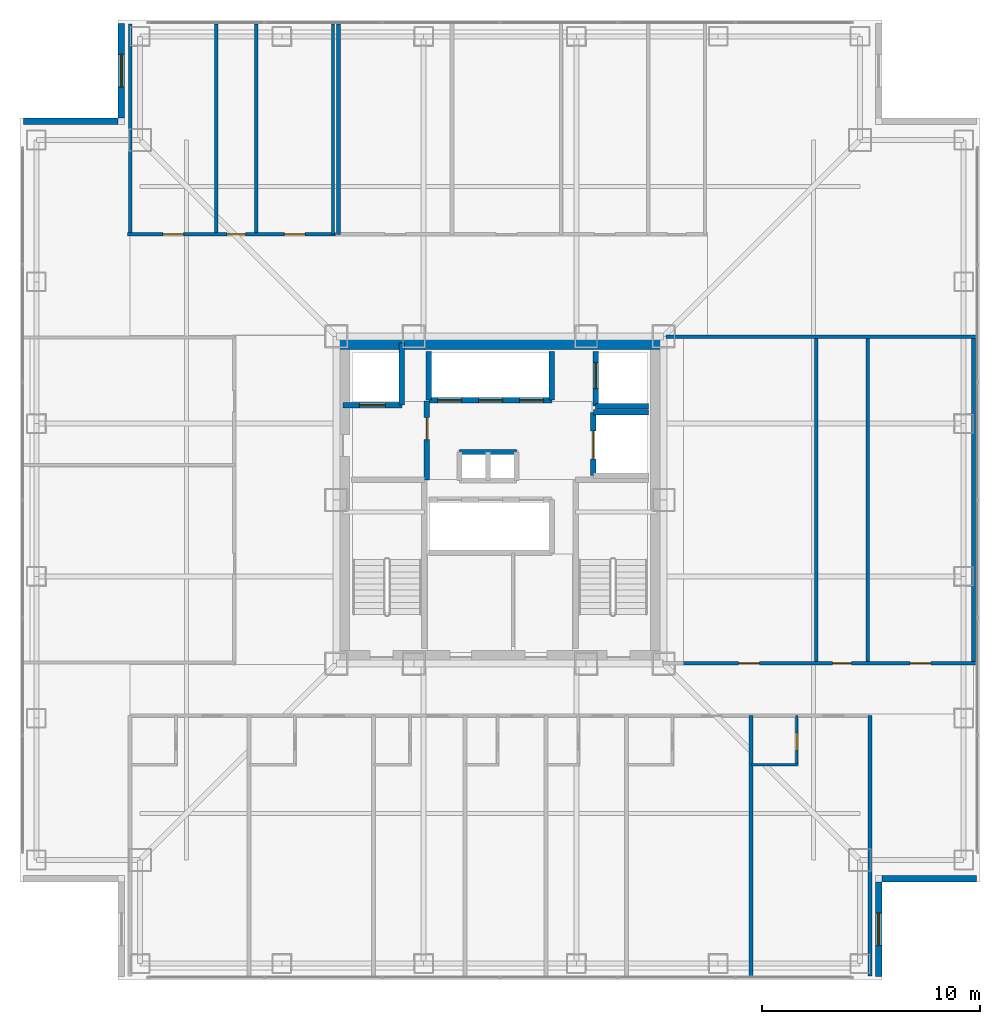
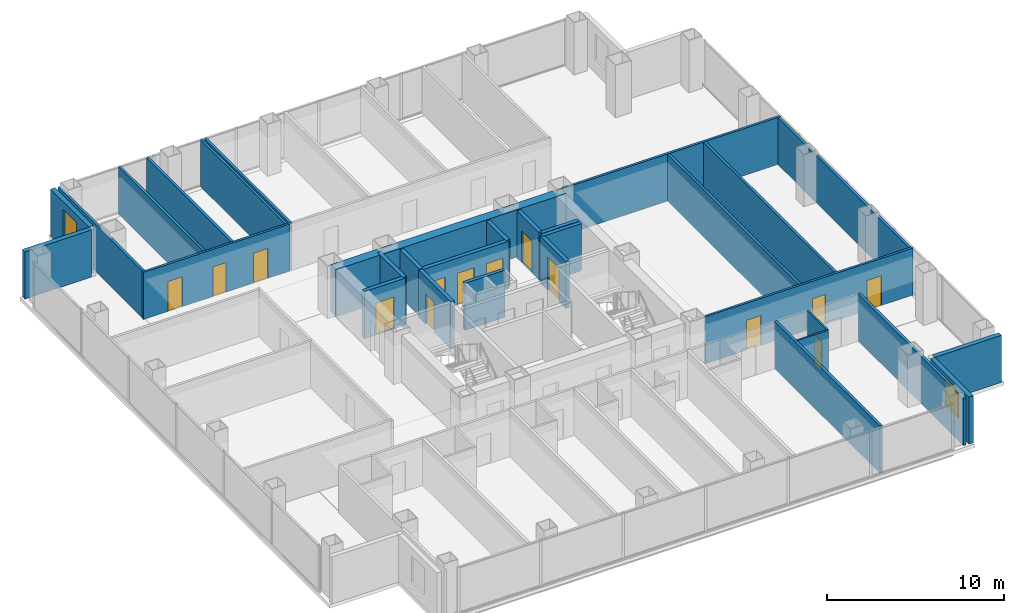
# One storey, part 14 of 18: 31 walls, 14 doors, 2 windows, 16 openings.
"""IFC4 building model written with IfcOpenShell, lengths in metres."""

import ifcopenshell
import ifcopenshell.guid

model = None  # the IFC model being written
_history = None  # IfcOwnerHistory: only IFC2X3 demands one
_inside = {}  # id of a spatial element -> (the spatial element, [elements in it])
_under = {}  # id of a project, library or spatial element -> (it, [spatial elements below it])
_declared = {}  # id of a project -> (the project, [libraries it declares])
_typed = {}  # id of a type object -> (the type object, [elements of that type])
_made_of = {}  # id of a material, layer set ... -> (it, [elements and type objects made of it])


def new_model(schema):
    """Start an empty IFC model of exactly this schema.

    Asked for "IFC4X3", IfcOpenShell would pick the latest addendum, in which some entities
    have other attributes; the version numbers below select the first issue.
    IFC2X3 requires an IfcOwnerHistory on every rooted entity: one is made here for all.
    """
    global model, _history
    if schema == "IFC4X3":
        model = ifcopenshell.file(schema_version=(4, 3, 0, 0))
    else:
        model = ifcopenshell.file(schema=schema)
    _inside.clear()
    _under.clear()
    _declared.clear()
    _typed.clear()
    _made_of.clear()
    _history = None
    if model.schema == "IFC2X3":
        org = make("IfcOrganization", Name="unknown")
        user = make(
            "IfcPersonAndOrganization",
            ThePerson=make("IfcPerson", FamilyName="unknown"),
            TheOrganization=org,
        )
        app = make(
            "IfcApplication",
            ApplicationDeveloper=org,
            Version="unknown",
            ApplicationFullName="unknown",
            ApplicationIdentifier="unknown",
        )
        _history = make(
            "IfcOwnerHistory",
            OwningUser=user,
            OwningApplication=app,
            ChangeAction="ADDED",
            CreationDate=0,
        )
    return model


def make(cls, **values):
    """One entity of the class cls with the attributes given. An attribute that is None is left unset."""
    return model.create_entity(
        cls, **{name: value for name, value in values.items() if value is not None}
    )


def rooted(cls, **values):
    """An entity with a GlobalId (a new one), such as an element, a storey or a relation."""
    return make(cls, GlobalId=ifcopenshell.guid.new(), OwnerHistory=_history, **values)


def si_unit(unit_type, name, prefix=None):
    """IfcSIUnit, for example si_unit("LENGTHUNIT", "METRE", prefix="MILLI")."""
    return make("IfcSIUnit", UnitType=unit_type, Prefix=prefix, Name=name)


def assignment(units):
    """IfcUnitAssignment: the units of a project."""
    return None if units is None else make("IfcUnitAssignment", Units=units)


def point(xyz):
    """IfcCartesianPoint."""
    return None if xyz is None else make("IfcCartesianPoint", Coordinates=xyz)


def direction(xyz):
    """IfcDirection."""
    return None if xyz is None else make("IfcDirection", DirectionRatios=xyz)


def frame(location, z_axis=None, x_axis=None):
    """IfcAxis2Placement3D, a coordinate frame: its origin and axes. An axis left out is left unset."""
    return make(
        "IfcAxis2Placement3D",
        Location=point(location),
        Axis=direction(z_axis),
        RefDirection=direction(x_axis),
    )


def frame_2d(location, x_axis=None):
    """IfcAxis2Placement2D, a coordinate frame in the plane: its origin and x axis."""
    return make(
        "IfcAxis2Placement2D", Location=point(location), RefDirection=direction(x_axis)
    )


def origin():
    """The frame at (0, 0, 0) with its axes left unset."""
    return frame((0.0, 0.0, 0.0))


def place(relative_to, where):
    """IfcLocalPlacement: puts the frame where relative to a parent placement (None: the world)."""
    return make(
        "IfcLocalPlacement", PlacementRelTo=relative_to, RelativePlacement=where
    )


def context(
    kind, dimensions, precision=None, world=None, true_north=None, identifier=None
):
    """IfcGeometricRepresentationContext, for example the 3D "Model" context."""
    return make(
        "IfcGeometricRepresentationContext",
        ContextIdentifier=identifier,
        ContextType=kind,
        CoordinateSpaceDimension=dimensions,
        Precision=precision,
        WorldCoordinateSystem=world,
        TrueNorth=true_north,
    )


def subcontext(parent, identifier, kind, view, scale=None):
    """IfcGeometricRepresentationSubContext, for example "Body" below "Model"."""
    return make(
        "IfcGeometricRepresentationSubContext",
        ContextIdentifier=identifier,
        ContextType=kind,
        ParentContext=parent,
        TargetScale=scale,
        TargetView=view,
    )


def project(units=None, contexts=None):
    """IfcProject with its units and contexts."""
    return rooted(
        "IfcProject",
        Name="project",
        RepresentationContexts=contexts,
        UnitsInContext=assignment(units),
    )


def spatial(cls, under=None, at=None, **own):
    """A site, building, storey or space (cls), placed at a placement, below another one or the project."""
    s = rooted(cls, ObjectPlacement=at, **own)
    if under is not None:
        _under.setdefault(under.id(), (under, []))[1].append(s)
    return s


def profile(cls, at=None, kind="AREA", **sizes):
    """A parametric profile (cls). Its sizes go by their IFC names, for example OverallWidth=200.0."""
    return make(cls, ProfileType=kind, Position=at, **sizes)


def rectangle(**sizes):
    """IfcRectangleProfileDef."""
    return profile("IfcRectangleProfileDef", **sizes)


def extrude(swept, where, along, depth):
    """IfcExtrudedAreaSolid: the profile swept, set in the frame where, extruded along a direction by depth."""
    return make(
        "IfcExtrudedAreaSolid",
        SweptArea=swept,
        Position=where,
        ExtrudedDirection=direction(along),
        Depth=depth,
    )


def shape(context_of_items, identifier, shape_type, items):
    """IfcShapeRepresentation: the items that make up one representation, for example the "Body"."""
    return make(
        "IfcShapeRepresentation",
        ContextOfItems=context_of_items,
        RepresentationIdentifier=identifier,
        RepresentationType=shape_type,
        Items=items,
    )


def material(Name=None, Category=None):
    """IfcMaterial."""
    return make("IfcMaterial", Name=Name, Category=Category)


def layer(
    of_material, thickness, ventilated=None, Name=None, Category=None, Priority=None
):
    """IfcMaterialLayer: one layer of a wall or slab, of a material (None: an air gap)."""
    return make(
        "IfcMaterialLayer",
        Material=of_material,
        LayerThickness=thickness,
        IsVentilated=ventilated,
        Name=Name,
        Category=Category,
        Priority=Priority,
    )


def layer_set(layers, Name=None):
    """IfcMaterialLayerSet."""
    return make("IfcMaterialLayerSet", MaterialLayers=layers, LayerSetName=Name)


def made_of(thing, what):
    """Note that an element or type object is made of a material, layer set ...; save() writes the relation."""
    if what is not None:
        _made_of.setdefault(what.id(), (what, []))[1].append(thing)
    return thing


def type_object(cls, material=None, **own):
    """A type object (cls), such as IfcWallType, which elements share."""
    return made_of(rooted(cls, **own), material)


def element(
    cls,
    number,
    at=None,
    inside=None,
    cuts=None,
    type_object=None,
    material=None,
    context=None,
    identifier="Body",
    shape_type=None,
    held_by="IfcProductDefinitionShape",
    body=None,
    shapes=None,
    **own,
):
    """One element of the class cls, such as IfcWall. Its Tag is "e" and its number.

    at: its placement. inside: the storey or other place that contains it. cuts: it is an
    opening in that element (IfcRelVoidsElement). A single representation is given by context,
    identifier, shape_type and body (its items); several are given by shapes. held_by: the class
    of the entity that holds the representations. save() writes the other relations.
    """
    e = rooted(cls, Tag="e%d" % number, ObjectPlacement=at, **own)
    if body is not None:
        shapes = [shape(context, identifier, shape_type, body)]
    if shapes is not None:
        e.Representation = make(held_by, Representations=shapes)
    if inside is not None:
        _inside.setdefault(inside.id(), (inside, []))[1].append(e)
    if cuts is not None:
        rooted(
            "IfcRelVoidsElement", RelatingBuildingElement=cuts, RelatedOpeningElement=e
        )
    if type_object is not None:
        _typed.setdefault(type_object.id(), (type_object, []))[1].append(e)
    return made_of(e, material)


def fill(opening, filler):
    """IfcRelFillsElement: the door or window that sits in an opening."""
    return rooted(
        "IfcRelFillsElement",
        RelatingOpeningElement=opening,
        RelatedBuildingElement=filler,
    )


def aggregate(whole, parts):
    """IfcRelAggregates: a whole, such as a stair, and the parts it consists of."""
    return rooted("IfcRelAggregates", RelatingObject=whole, RelatedObjects=parts)


def save(model, path):
    """Write the relations noted so far, then the file.

    IfcRelAggregates (storeys below a building ...), IfcRelContainedInSpatialStructure (elements
    in a storey), IfcRelDefinesByType, IfcRelAssociatesMaterial and IfcRelDeclares: one each for
    every whole, place, type object, material and project.
    """
    for whole, parts in _under.values():
        aggregate(whole, parts)
    for where, things in _inside.values():
        rooted(
            "IfcRelContainedInSpatialStructure",
            RelatedElements=things,
            RelatingStructure=where,
        )
    for kind, things in _typed.values():
        rooted("IfcRelDefinesByType", RelatedObjects=things, RelatingType=kind)
    for what, things in _made_of.values():
        rooted("IfcRelAssociatesMaterial", RelatedObjects=things, RelatingMaterial=what)
    for by, libraries in _declared.values():
        rooted("IfcRelDeclares", RelatingContext=by, RelatedDefinitions=libraries)
    model.write(path)


model = new_model("IFC4")

# Units and contexts
model_context = context("Model", 3, precision=1e-05, world=origin(), true_north=direction((0.0, 1.0)))
body_context = subcontext(model_context, "Body", "Model", "MODEL_VIEW")
ifc_project = project(units=[si_unit("LENGTHUNIT", "METRE"), si_unit("AREAUNIT", "SQUARE_METRE"), si_unit("VOLUMEUNIT", "CUBIC_METRE"), si_unit("PLANEANGLEUNIT", "RADIAN"), si_unit("MASSUNIT", "GRAM", prefix="KILO")], contexts=[model_context])

# Site, building, storey
site_placement = place(None, origin())
site = spatial("IfcSite", under=ifc_project, at=site_placement, CompositionType="ELEMENT")
building_placement = place(site_placement, origin())
building = spatial("IfcBuilding", under=site, at=building_placement, Name="Trevonay Congress Spire", CompositionType="ELEMENT")
storey_placement = place(building_placement, frame((0.0, 0.0, 151.60009765625)))
storey = spatial("IfcBuildingStorey", under=building, at=storey_placement, Name="L39", CompositionType="ELEMENT", Elevation=151.60009765625)

# Wall, opening, door
ifc_material_1 = material(Name="Concrete C40/50", Category="concrete")
ifc_layer_1 = layer(ifc_material_1, 0.1201171875, Name="Concrete C40/50")
ifc_layer_set_1 = layer_set([ifc_layer_1], Name="Concrete C40/50")
wall_type_1 = type_object("IfcWallType", Name="WAL-BATH-120", PredefinedType="PLUMBINGWALL", material=ifc_layer_set_1)
wall_1_placement = place(storey_placement, frame((13.60009765625, -12.1298828125, 0.0), z_axis=(0.0, 0.0, 1.0), x_axis=(0.0, 1.0, 0.0)))
wall_1 = element("IfcWall", 1, at=wall_1_placement, inside=storey, type_object=wall_type_1, Name="L39 interior wall WH-L39S-BS7", PredefinedType="PLUMBINGWALL", context=body_context, shape_type="SweptSolid", body=[
    extrude(rectangle(XDim=2.25, YDim=0.1201171875, at=frame_2d((1.125, 0.0))), origin(), (0.0, 0.0, 1.0), 3.25),
])
opening_1_placement = place(wall_1_placement, frame((0.64990234375, 0.0, 0.0)))
opening_1 = element("IfcOpeningElement", 2, at=opening_1_placement, cuts=wall_1, Name="Opening D11", PredefinedType="OPENING", context=body_context, shape_type="SweptSolid", body=[
    extrude(rectangle(XDim=0.800048828125, YDim=2.050048828125, at=frame_2d((0.39990234375, 1.02490234375))), frame((0.0, 0.070068359375, 0.0), z_axis=(0.0, -1.0, 0.0), x_axis=(1.0, 0.0, 0.0)), (0.0, 0.0, 1.0), 0.14013671875),
])
ifc_material_2 = material(Name="Pale Anodised Aluminium EN AW-6063-T6", Category="aluminium")
door_type_1 = type_object("IfcDoorType", Name="DOR-BATH-80", OperationType="NOTDEFINED", PredefinedType="DOOR", material=ifc_material_2)
door_1_placement = place(opening_1_placement, origin())
door_1 = element("IfcDoor", 3, at=door_1_placement, inside=storey, type_object=door_type_1, Name="L39 En-suite Bathroom Door", OperationType="SINGLE_SWING_LEFT", OverallHeight=2.050048828125, OverallWidth=0.800048828125, PredefinedType="DOOR", context=body_context, shape_type="SweptSolid", body=[
    extrude(rectangle(XDim=0.800048828125, YDim=2.050048828125, at=frame_2d((0.39990234375, 1.02490234375))), frame((0.0, 0.02490234375, 0.0), z_axis=(0.0, -1.0, 0.0), x_axis=(1.0, 0.0, 0.0)), (0.0, 0.0, 1.0), 0.050048828125),
])
fill(opening_1, door_1)

# Walls
wall_2_placement = place(storey_placement, frame((11.530029296875, -12.1298828125, 0.0), z_axis=(0.0, 0.0, 1.0), x_axis=(1.0, 0.0, 0.0)))
element("IfcWall", 4, at=wall_2_placement, inside=storey, type_object=wall_type_1, Name="L39 interior wall WH-L39S-BF7", PredefinedType="PLUMBINGWALL", context=body_context, shape_type="SweptSolid", body=[
    extrude(rectangle(XDim=2.099853515625, YDim=0.1201171875, at=frame_2d((1.0498046875, 0.0))), origin(), (0.0, 0.0, 1.0), 3.25),
])
ifc_material_3 = material(Name="Concrete C60/75", Category="concrete")
ifc_layer_2 = layer(ifc_material_3, 0.60009765625, Name="Concrete C60/75")
ifc_layer_set_2 = layer_set([ifc_layer_2], Name="Concrete C60/75")
wall_type_2 = type_object("IfcWallType", Name="WAL-CORE-600", PredefinedType="SHEAR", material=ifc_layer_set_2)
wall_3_placement = place(storey_placement, frame((-7.5, 7.199951171875, 0.0), z_axis=(0.0, 0.0, 1.0), x_axis=(1.0, 0.0, 0.0)))
element("IfcWall", 5, at=wall_3_placement, inside=storey, type_object=wall_type_2, Name="L39 North structural core shear wall", PredefinedType="SHEAR", context=body_context, shape_type="SweptSolid", body=[
    extrude(rectangle(XDim=15.0, YDim=0.60009765625, at=frame_2d((7.5, 0.0))), origin(), (0.0, 0.0, 1.0), 3.25),
])

# Wall, openings, doors
ifc_layer_3 = layer(ifc_material_1, 0.14990234375, Name="Concrete C40/50")
ifc_layer_set_3 = layer_set([ifc_layer_3], Name="Concrete C40/50")
wall_type_3 = type_object("IfcWallType", Name="WAL-CORR-150", PredefinedType="PARTITIONING", material=ifc_layer_set_3)
wall_4_placement = place(storey_placement, frame((-17.070068359375, 12.179931640625, 0.0), z_axis=(0.0, 0.0, 1.0), x_axis=(1.0, 0.0, 0.0)))
wall_4 = element("IfcWall", 6, at=wall_4_placement, inside=storey, type_object=wall_type_3, Name="L39 interior wall WP-L39NW-COR", PredefinedType="PARTITIONING", context=body_context, shape_type="SweptSolid", body=[
    extrude(rectangle(XDim=9.5400390625, YDim=0.14990234375, at=frame_2d((4.77001953125, 0.0))), origin(), (0.0, 0.0, 1.0), 3.25),
])
opening_2_placement = place(wall_4_placement, frame((1.6201171875, 0.0, 0.0)))
opening_2 = element("IfcOpeningElement", 7, at=opening_2_placement, cuts=wall_4, Name="Opening D07", PredefinedType="OPENING", context=body_context, shape_type="SweptSolid", body=[
    extrude(rectangle(XDim=0.949951171875, YDim=2.06005859375, at=frame_2d((0.47509765625, 1.030029296875))), frame((0.0, 0.0849609375, 0.0), z_axis=(0.0, -1.0, 0.0), x_axis=(1.0, 0.0, 0.0)), (0.0, 0.0, 1.0), 0.169921875),
])
opening_3_placement = place(wall_4_placement, frame((4.56005859375, 0.0, 0.0)))
opening_3 = element("IfcOpeningElement", 8, at=opening_3_placement, cuts=wall_4, Name="Opening D10", PredefinedType="OPENING", context=body_context, shape_type="SweptSolid", body=[
    extrude(rectangle(XDim=0.85009765625, YDim=2.050048828125, at=frame_2d((0.425048828125, 1.02490234375))), frame((0.0, 0.0849609375, 0.0), z_axis=(0.0, -1.0, 0.0), x_axis=(1.0, 0.0, 0.0)), (0.0, 0.0, 1.0), 0.169921875),
])
opening_4_placement = place(wall_4_placement, frame((7.18505859375, 0.0, 0.0)))
opening_4 = element("IfcOpeningElement", 9, at=opening_4_placement, cuts=wall_4, Name="Opening D07", PredefinedType="OPENING", context=body_context, shape_type="SweptSolid", body=[
    extrude(rectangle(XDim=0.949951171875, YDim=2.06005859375, at=frame_2d((0.47509765625, 1.030029296875))), frame((0.0, 0.0849609375, 0.0), z_axis=(0.0, -1.0, 0.0), x_axis=(1.0, 0.0, 0.0)), (0.0, 0.0, 1.0), 0.169921875),
])
door_type_2 = type_object("IfcDoorType", Name="DOR-OFFICE-95", OperationType="NOTDEFINED", PredefinedType="DOOR", material=ifc_material_2)
door_2_placement = place(opening_2_placement, origin())
door_2 = element("IfcDoor", 10, at=door_2_placement, inside=storey, type_object=door_type_2, Name="L39 Treaty Delegation Office Door", OperationType="SINGLE_SWING_LEFT", OverallHeight=2.06005859375, OverallWidth=0.949951171875, PredefinedType="DOOR", context=body_context, shape_type="SweptSolid", body=[
    extrude(rectangle(XDim=0.949951171875, YDim=2.06005859375, at=frame_2d((0.47509765625, 1.030029296875))), frame((0.0, 0.02490234375, 0.0), z_axis=(0.0, -1.0, 0.0), x_axis=(1.0, 0.0, 0.0)), (0.0, 0.0, 1.0), 0.050048828125),
])
fill(opening_2, door_2)
door_3_placement = place(opening_4_placement, origin())
door_3 = element("IfcDoor", 11, at=door_3_placement, inside=storey, type_object=door_type_2, Name="L39 Floor Supplies and Copy Room Door", OperationType="SINGLE_SWING_LEFT", OverallHeight=2.06005859375, OverallWidth=0.949951171875, PredefinedType="DOOR", context=body_context, shape_type="SweptSolid", body=[
    extrude(rectangle(XDim=0.949951171875, YDim=2.06005859375, at=frame_2d((0.47509765625, 1.030029296875))), frame((0.0, 0.02490234375, 0.0), z_axis=(0.0, -1.0, 0.0), x_axis=(1.0, 0.0, 0.0)), (0.0, 0.0, 1.0), 0.050048828125),
])
fill(opening_4, door_3)
door_type_3 = type_object("IfcDoorType", Name="DOR-WC-85", OperationType="NOTDEFINED", PredefinedType="DOOR", material=ifc_material_2)
door_4_placement = place(opening_3_placement, origin())
door_4 = element("IfcDoor", 12, at=door_4_placement, inside=storey, type_object=door_type_3, Name="L39 Accessible WC Door", OperationType="SINGLE_SWING_RIGHT", OverallHeight=2.050048828125, OverallWidth=0.85009765625, PredefinedType="DOOR", context=body_context, shape_type="SweptSolid", body=[
    extrude(rectangle(XDim=0.85009765625, YDim=2.050048828125, at=frame_2d((0.425048828125, 1.02490234375))), frame((0.0, 0.02490234375, 0.0), z_axis=(0.0, -1.0, 0.0), x_axis=(1.0, 0.0, 0.0)), (0.0, 0.0, 1.0), 0.050048828125),
])
fill(opening_3, door_4)

wall_5_placement = place(storey_placement, frame((8.280029296875, -7.47998046875, 0.0), z_axis=(0.0, 0.0, 1.0), x_axis=(1.0, 0.0, 0.0)))
wall_5 = element("IfcWall", 13, at=wall_5_placement, inside=storey, type_object=wall_type_3, Name="L39 interior wall WP-L39E-COR", PredefinedType="PARTITIONING", context=body_context, shape_type="SweptSolid", body=[
    extrude(rectangle(XDim=13.5400390625, YDim=0.14990234375, at=frame_2d((6.77001953125, 0.0))), origin(), (0.0, 0.0, 1.0), 3.25),
])
opening_5_placement = place(wall_5_placement, frame((2.655029296875, 0.0, 0.0)))
opening_5 = element("IfcOpeningElement", 14, at=opening_5_placement, cuts=wall_5, Name="Opening D07", PredefinedType="OPENING", context=body_context, shape_type="SweptSolid", body=[
    extrude(rectangle(XDim=0.949951171875, YDim=2.06005859375, at=frame_2d((0.47509765625, 1.030029296875))), frame((0.0, 0.0849609375, 0.0), z_axis=(0.0, -1.0, 0.0), x_axis=(1.0, 0.0, 0.0)), (0.0, 0.0, 1.0), 0.169921875),
])
opening_6_placement = place(wall_5_placement, frame((6.969970703125, 0.0, 0.0)))
opening_6 = element("IfcOpeningElement", 15, at=opening_6_placement, cuts=wall_5, Name="Opening D10", PredefinedType="OPENING", context=body_context, shape_type="SweptSolid", body=[
    extrude(rectangle(XDim=0.85009765625, YDim=2.050048828125, at=frame_2d((0.425048828125, 1.02490234375))), frame((0.0, 0.0849609375, 0.0), z_axis=(0.0, -1.0, 0.0), x_axis=(1.0, 0.0, 0.0)), (0.0, 0.0, 1.0), 0.169921875),
])
opening_7_placement = place(wall_5_placement, frame((10.52001953125, 0.0, 0.0)))
opening_7 = element("IfcOpeningElement", 16, at=opening_7_placement, cuts=wall_5, Name="Opening D07", PredefinedType="OPENING", context=body_context, shape_type="SweptSolid", body=[
    extrude(rectangle(XDim=0.949951171875, YDim=2.06005859375, at=frame_2d((0.47509765625, 1.030029296875))), frame((0.0, 0.0849609375, 0.0), z_axis=(0.0, -1.0, 0.0), x_axis=(1.0, 0.0, 0.0)), (0.0, 0.0, 1.0), 0.169921875),
])
door_5_placement = place(opening_5_placement, origin())
door_5 = element("IfcDoor", 17, at=door_5_placement, inside=storey, type_object=door_type_2, Name="L39 Security Liaison Office Door", OperationType="SINGLE_SWING_RIGHT", OverallHeight=2.06005859375, OverallWidth=0.949951171875, PredefinedType="DOOR", context=body_context, shape_type="SweptSolid", body=[
    extrude(rectangle(XDim=0.949951171875, YDim=2.06005859375, at=frame_2d((0.47509765625, 1.030029296875))), frame((0.0, 0.02490234375, 0.0), z_axis=(0.0, -1.0, 0.0), x_axis=(1.0, 0.0, 0.0)), (0.0, 0.0, 1.0), 0.050048828125),
])
fill(opening_5, door_5)
door_6_placement = place(opening_7_placement, origin())
door_6 = element("IfcDoor", 18, at=door_6_placement, inside=storey, type_object=door_type_2, Name="L39 Floor Supplies and Copy Room Door", OperationType="SINGLE_SWING_RIGHT", OverallHeight=2.06005859375, OverallWidth=0.949951171875, PredefinedType="DOOR", context=body_context, shape_type="SweptSolid", body=[
    extrude(rectangle(XDim=0.949951171875, YDim=2.06005859375, at=frame_2d((0.47509765625, 1.030029296875))), frame((0.0, 0.02490234375, 0.0), z_axis=(0.0, -1.0, 0.0), x_axis=(1.0, 0.0, 0.0)), (0.0, 0.0, 1.0), 0.050048828125),
])
fill(opening_7, door_6)
door_7_placement = place(opening_6_placement, origin())
door_7 = element("IfcDoor", 19, at=door_7_placement, inside=storey, type_object=door_type_3, Name="L39 Male Restroom WC Door", OperationType="SINGLE_SWING_LEFT", OverallHeight=2.050048828125, OverallWidth=0.85009765625, PredefinedType="DOOR", context=body_context, shape_type="SweptSolid", body=[
    extrude(rectangle(XDim=0.85009765625, YDim=2.050048828125, at=frame_2d((0.425048828125, 1.02490234375))), frame((0.0, 0.02490234375, 0.0), z_axis=(0.0, -1.0, 0.0), x_axis=(1.0, 0.0, 0.0)), (0.0, 0.0, 1.0), 0.050048828125),
])
fill(opening_6, door_7)

# Wall, opening, window
ifc_material_4 = material(Name="Precast concrete C40/50", Category="concrete")
ifc_layer_4 = layer(ifc_material_4, 0.300048828125, Name="Precast concrete C40/50")
ifc_layer_set_4 = layer_set([ifc_layer_4], Name="Precast concrete C40/50")
wall_type_4 = type_object("IfcWallType", Name="WAL-EXT-PRECAST-300", PredefinedType="SOLIDWALL", material=ifc_layer_set_4)
wall_6_placement = place(storey_placement, frame((17.35009765625, -21.85009765625, 0.0), z_axis=(0.0, 0.0, 1.0), x_axis=(0.0, 1.0, 0.0)))
wall_6 = element("IfcWall", 20, at=wall_6_placement, inside=storey, type_object=wall_type_4, Name="L39 SE re-entrant notch exterior wall 1", PredefinedType="SOLIDWALL", context=body_context, shape_type="SweptSolid", body=[
    extrude(rectangle(XDim=4.35009765625, YDim=0.300048828125, at=frame_2d((2.175048828125, 0.0))), origin(), (0.0, 0.0, 1.0), 3.25),
])
opening_8_placement = place(wall_6_placement, frame((1.425048828125, 0.0, 0.89990234375)))
opening_8 = element("IfcOpeningElement", 21, at=opening_8_placement, cuts=wall_6, Name="Opening WN03", PredefinedType="OPENING", context=body_context, shape_type="SweptSolid", body=[
    extrude(rectangle(XDim=1.5, YDim=1.800048828125, at=frame_2d((0.75, 0.89990234375))), frame((0.0, 0.16015625, 0.0), z_axis=(0.0, -1.0, 0.0), x_axis=(1.0, 0.0, 0.0)), (0.0, 0.0, 1.0), 0.320068359375),
])
ifc_material_5 = material(Name="Insulated Low-E Vision Glass IGU", Category="glass")
window_type = type_object("IfcWindowType", Name="WIN-NOTCH-150X180", PartitioningType="SINGLE_PANEL", PredefinedType="WINDOW", material=ifc_material_5)
window_1_placement = place(opening_8_placement, origin())
window_1 = element("IfcWindow", 22, at=window_1_placement, inside=storey, type_object=window_type, Name="L39 SE corner notch window", OverallHeight=1.800048828125, OverallWidth=1.5, PartitioningType="SINGLE_PANEL", PredefinedType="WINDOW", context=body_context, shape_type="SweptSolid", body=[
    extrude(rectangle(XDim=1.5, YDim=1.800048828125, at=frame_2d((0.75, 0.89990234375))), frame((0.0, 0.030029296875, 0.0), z_axis=(0.0, -1.0, 0.0), x_axis=(1.0, 0.0, 0.0)), (0.0, 0.0, 1.0), 0.06005859375),
])
fill(opening_8, window_1)

# Wall
wall_7_placement = place(storey_placement, frame((21.85009765625, -17.35009765625, 0.0), z_axis=(0.0, 0.0, 1.0), x_axis=(-1.0, 0.0, 0.0)))
element("IfcWall", 23, at=wall_7_placement, inside=storey, type_object=wall_type_4, Name="L39 SE re-entrant notch exterior wall 2", PredefinedType="SOLIDWALL", context=body_context, shape_type="SweptSolid", body=[
    extrude(rectangle(XDim=4.35009765625, YDim=0.300048828125, at=frame_2d((2.175048828125, 0.0))), origin(), (0.0, 0.0, 1.0), 3.25),
])

# Wall, opening, window
wall_8_placement = place(storey_placement, frame((-17.35009765625, 21.85009765625, 0.0), z_axis=(0.0, 0.0, 1.0), x_axis=(0.0, -1.0, 0.0)))
wall_8 = element("IfcWall", 24, at=wall_8_placement, inside=storey, type_object=wall_type_4, Name="L39 NW re-entrant notch exterior wall 1", PredefinedType="SOLIDWALL", context=body_context, shape_type="SweptSolid", body=[
    extrude(rectangle(XDim=4.35009765625, YDim=0.300048828125, at=frame_2d((2.175048828125, 0.0))), origin(), (0.0, 0.0, 1.0), 3.25),
])
opening_9_placement = place(wall_8_placement, frame((1.425048828125, 0.0, 0.89990234375)))
opening_9 = element("IfcOpeningElement", 25, at=opening_9_placement, cuts=wall_8, Name="Opening WN03", PredefinedType="OPENING", context=body_context, shape_type="SweptSolid", body=[
    extrude(rectangle(XDim=1.5, YDim=1.800048828125, at=frame_2d((0.75, 0.89990234375))), frame((0.0, 0.16015625, 0.0), z_axis=(0.0, -1.0, 0.0), x_axis=(1.0, 0.0, 0.0)), (0.0, 0.0, 1.0), 0.320068359375),
])
window_2_placement = place(opening_9_placement, origin())
window_2 = element("IfcWindow", 26, at=window_2_placement, inside=storey, type_object=window_type, Name="L39 NW corner notch window", OverallHeight=1.800048828125, OverallWidth=1.5, PartitioningType="SINGLE_PANEL", PredefinedType="WINDOW", context=body_context, shape_type="SweptSolid", body=[
    extrude(rectangle(XDim=1.5, YDim=1.800048828125, at=frame_2d((0.75, 0.89990234375))), frame((0.0, 0.030029296875, 0.0), z_axis=(0.0, -1.0, 0.0), x_axis=(1.0, 0.0, 0.0)), (0.0, 0.0, 1.0), 0.06005859375),
])
fill(opening_9, window_2)

# Walls
wall_9_placement = place(storey_placement, frame((-21.85009765625, 17.35009765625, 0.0), z_axis=(0.0, 0.0, 1.0), x_axis=(1.0, 0.0, 0.0)))
element("IfcWall", 27, at=wall_9_placement, inside=storey, type_object=wall_type_4, Name="L39 NW re-entrant notch exterior wall 2", PredefinedType="SOLIDWALL", context=body_context, shape_type="SweptSolid", body=[
    extrude(rectangle(XDim=4.35009765625, YDim=0.300048828125, at=frame_2d((2.175048828125, 0.0))), origin(), (0.0, 0.0, 1.0), 3.25),
])
ifc_layer_5 = layer(ifc_material_1, 0.179931640625, Name="Concrete C40/50")
ifc_layer_set_5 = layer_set([ifc_layer_5], Name="Concrete C40/50")
wall_type_5 = type_object("IfcWallType", Name="WAL-HOTEL-180", PredefinedType="PARTITIONING", material=ifc_layer_set_5)
for number, where, z_axis, x_axis, name in (
    (28, (11.5, -21.820068359375, 0.0), (0.0, 0.0, 1.0), (0.0, 1.0, 0.0), "L39 interior wall WH-L39S-DIV7"),
    (29, (16.949951171875, -21.820068359375, 0.0), (0.0, 0.0, 1.0), (0.0, 1.0, 0.0), "L39 interior wall WH-L39S-DIV8"),
):
    element("IfcWall", number, at=place(storey_placement, frame(where, z_axis=z_axis, x_axis=x_axis)), inside=storey, type_object=wall_type_5, Name=name, PredefinedType="PARTITIONING", context=body_context, shape_type="SweptSolid", body=[
        extrude(rectangle(XDim=11.940185546875, YDim=0.179931640625, at=frame_2d((5.97021484375, 0.0))), origin(), (0.0, 0.0, 1.0), 3.25),
    ])
ifc_layer_6 = layer(ifc_material_1, 0.14990234375, Name="Concrete C40/50")
ifc_layer_set_6 = layer_set([ifc_layer_6], Name="Concrete C40/50")
wall_type_6 = type_object("IfcWallType", Name="WAL-PART-150", PredefinedType="PARTITIONING", material=ifc_layer_set_6)
wall_10_placement = place(storey_placement, frame((-7.64990234375, 12.179931640625, 0.0), z_axis=(0.0, 0.0, 1.0), x_axis=(0.0, 1.0, 0.0)))
element("IfcWall", 30, at=wall_10_placement, inside=storey, type_object=wall_type_6, Name="L39 interior wall WP-L39NW-DIV3", PredefinedType="PARTITIONING", context=body_context, shape_type="SweptSolid", body=[
    extrude(rectangle(XDim=9.64013671875, YDim=0.14990234375, at=frame_2d((4.820068359375, 0.0))), origin(), (0.0, 0.0, 1.0), 3.25),
])
wall_11_placement = place(storey_placement, frame((7.60009765625, 7.47998046875, 0.0), z_axis=(0.0, 0.0, 1.0), x_axis=(1.0, 0.0, 0.0)))
element("IfcWall", 31, at=wall_11_placement, inside=storey, type_object=wall_type_6, Name="L39 interior wall WP-L39E-NCLS", PredefinedType="PARTITIONING", context=body_context, shape_type="SweptSolid", body=[
    extrude(rectangle(XDim=14.219970703125, YDim=0.14990234375, at=frame_2d((7.10986328125, 0.0))), origin(), (0.0, 0.0, 1.0), 3.25),
])
ifc_layer_7 = layer(ifc_material_1, 0.219970703125, Name="Concrete C40/50")
ifc_layer_set_7 = layer_set([ifc_layer_7], Name="Concrete C40/50")
wall_type_7 = type_object("IfcWallType", Name="WAL-SHAFT-220", PredefinedType="PARTITIONING", material=ifc_layer_set_7)
wall_12_placement = place(storey_placement, frame((-1.85009765625, 2.199951171875, 0.0), z_axis=(0.0, 0.0, 1.0), x_axis=(1.0, 0.0, 0.0)))
element("IfcWall", 32, at=wall_12_placement, inside=storey, type_object=wall_type_7, Name="L39 interior shaft wall WSH-L39-RSR-N", PredefinedType="PARTITIONING", context=body_context, shape_type="SweptSolid", body=[
    extrude(rectangle(XDim=2.60009765625, YDim=0.219970703125, at=frame_2d((1.300048828125, 0.0))), origin(), (0.0, 0.0, 1.0), 3.25),
])

# Wall, openings, doors
ifc_layer_8 = layer(ifc_material_1, 0.25, Name="Concrete C40/50")
ifc_layer_set_8 = layer_set([ifc_layer_8], Name="Concrete C40/50")
wall_type_8 = type_object("IfcWallType", Name="WAL-SHAFT-250", PredefinedType="SHEAR", material=ifc_layer_set_8)
wall_13_placement = place(storey_placement, frame((-3.260009765625, 4.580078125, 0.0), z_axis=(0.0, 0.0, 1.0), x_axis=(1.0, 0.0, 0.0)))
wall_13 = element("IfcWall", 33, at=wall_13_placement, inside=storey, type_object=wall_type_8, Name="L39 interior shaft wall WSH-L39-B3-S", PredefinedType="SHEAR", context=body_context, shape_type="SweptSolid", body=[
    extrude(rectangle(XDim=5.639892578125, YDim=0.25, at=frame_2d((2.81982421875, 0.0))), origin(), (0.0, 0.0, 1.0), 3.25),
])
opening_10_placement = place(wall_13_placement, frame((0.39990234375, 0.0, 0.0)))
opening_10 = element("IfcOpeningElement", 34, at=opening_10_placement, cuts=wall_13, Name="Opening LD03", PredefinedType="OPENING", context=body_context, shape_type="SweptSolid", body=[
    extrude(rectangle(XDim=1.10009765625, YDim=2.199951171875, at=frame_2d((0.550048828125, 1.10009765625))), frame((0.0, 0.135009765625, 0.0), z_axis=(0.0, -1.0, 0.0), x_axis=(1.0, 0.0, 0.0)), (0.0, 0.0, 1.0), 0.27001953125),
])
opening_11_placement = place(wall_13_placement, frame((2.280029296875, 0.0, 0.0)))
opening_11 = element("IfcOpeningElement", 35, at=opening_11_placement, cuts=wall_13, Name="Opening LD03", PredefinedType="OPENING", context=body_context, shape_type="SweptSolid", body=[
    extrude(rectangle(XDim=1.10009765625, YDim=2.199951171875, at=frame_2d((0.550048828125, 1.10009765625))), frame((0.0, 0.135009765625, 0.0), z_axis=(0.0, -1.0, 0.0), x_axis=(1.0, 0.0, 0.0)), (0.0, 0.0, 1.0), 0.27001953125),
])
opening_12_placement = place(wall_13_placement, frame((4.159912109375, 0.0, 0.0)))
opening_12 = element("IfcOpeningElement", 36, at=opening_12_placement, cuts=wall_13, Name="Opening LD03", PredefinedType="OPENING", context=body_context, shape_type="SweptSolid", body=[
    extrude(rectangle(XDim=1.10009765625, YDim=2.199951171875, at=frame_2d((0.550048828125, 1.10009765625))), frame((0.0, 0.135009765625, 0.0), z_axis=(0.0, -1.0, 0.0), x_axis=(1.0, 0.0, 0.0)), (0.0, 0.0, 1.0), 0.27001953125),
])
door_type_4 = type_object("IfcDoorType", Name="DOR-LIFT-LD03", OperationType="DOUBLE_DOOR_SLIDING", PredefinedType="DOOR", material=ifc_material_2)
door_8_placement = place(opening_10_placement, origin())
door_8 = element("IfcDoor", 37, at=door_8_placement, inside=storey, type_object=door_type_4, Name="L39 Passenger lift PL-07 landing door", OperationType="DOUBLE_DOOR_SLIDING", OverallHeight=2.199951171875, OverallWidth=1.10009765625, PredefinedType="DOOR", context=body_context, shape_type="SweptSolid", body=[
    extrude(rectangle(XDim=1.10009765625, YDim=2.199951171875, at=frame_2d((0.550048828125, 1.10009765625))), frame((0.0, 0.02490234375, 0.0), z_axis=(0.0, -1.0, 0.0), x_axis=(1.0, 0.0, 0.0)), (0.0, 0.0, 1.0), 0.050048828125),
])
fill(opening_10, door_8)
door_9_placement = place(opening_11_placement, origin())
door_9 = element("IfcDoor", 38, at=door_9_placement, inside=storey, type_object=door_type_4, Name="L39 Passenger lift PL-08 landing door", OperationType="DOUBLE_DOOR_SLIDING", OverallHeight=2.199951171875, OverallWidth=1.10009765625, PredefinedType="DOOR", context=body_context, shape_type="SweptSolid", body=[
    extrude(rectangle(XDim=1.10009765625, YDim=2.199951171875, at=frame_2d((0.550048828125, 1.10009765625))), frame((0.0, 0.02490234375, 0.0), z_axis=(0.0, -1.0, 0.0), x_axis=(1.0, 0.0, 0.0)), (0.0, 0.0, 1.0), 0.050048828125),
])
fill(opening_11, door_9)
door_10_placement = place(opening_12_placement, origin())
door_10 = element("IfcDoor", 39, at=door_10_placement, inside=storey, type_object=door_type_4, Name="L39 Passenger lift PL-09 landing door", OperationType="DOUBLE_DOOR_SLIDING", OverallHeight=2.199951171875, OverallWidth=1.10009765625, PredefinedType="DOOR", context=body_context, shape_type="SweptSolid", body=[
    extrude(rectangle(XDim=1.10009765625, YDim=2.199951171875, at=frame_2d((0.550048828125, 1.10009765625))), frame((0.0, 0.02490234375, 0.0), z_axis=(0.0, -1.0, 0.0), x_axis=(1.0, 0.0, 0.0)), (0.0, 0.0, 1.0), 0.050048828125),
])
fill(opening_12, door_10)

# Walls
for number, where, z_axis, x_axis, name in (
    (40, (-3.260009765625, 4.580078125, 0.0), (0.0, 0.0, 1.0), (0.0, 1.0, 0.0), "L39 interior shaft wall WSH-L39-B3-W"),
    (41, (2.3798828125, 4.580078125, 0.0), (0.0, 0.0, 1.0), (0.0, 1.0, 0.0), "L39 interior shaft wall WSH-L39-B3-E"),
):
    element("IfcWall", number, at=place(storey_placement, frame(where, z_axis=z_axis, x_axis=x_axis)), inside=storey, type_object=wall_type_8, Name=name, PredefinedType="SHEAR", context=body_context, shape_type="SweptSolid", body=[
        extrude(rectangle(XDim=2.219970703125, YDim=0.25, at=frame_2d((1.10986328125, 0.0))), origin(), (0.0, 0.0, 1.0), 3.25),
    ])

# Wall, opening, door
wall_14_placement = place(storey_placement, frame((-7.199951171875, 4.35009765625, 0.0), z_axis=(0.0, 0.0, 1.0), x_axis=(1.0, 0.0, 0.0)))
wall_14 = element("IfcWall", 42, at=wall_14_placement, inside=storey, type_object=wall_type_8, Name="L39 interior shaft wall WSH-L39-FF1-S", PredefinedType="SHEAR", context=body_context, shape_type="SweptSolid", body=[
    extrude(rectangle(XDim=2.699951171875, YDim=0.25, at=frame_2d((1.35009765625, 0.0))), origin(), (0.0, 0.0, 1.0), 3.25),
])
opening_13_placement = place(wall_14_placement, frame((0.75, 0.0, 0.0)))
opening_13 = element("IfcOpeningElement", 43, at=opening_13_placement, cuts=wall_14, Name="Opening LD04", PredefinedType="OPENING", context=body_context, shape_type="SweptSolid", body=[
    extrude(rectangle(XDim=1.199951171875, YDim=2.199951171875, at=frame_2d((0.60009765625, 1.10009765625))), frame((0.0, 0.135009765625, 0.0), z_axis=(0.0, -1.0, 0.0), x_axis=(1.0, 0.0, 0.0)), (0.0, 0.0, 1.0), 0.27001953125),
])
ifc_material_6 = material(Name="Steel ASTM A572 Grade 50", Category="steel")
door_type_5 = type_object("IfcDoorType", Name="DOR-LIFT-LD04", OperationType="DOUBLE_DOOR_SLIDING", PredefinedType="DOOR", material=ifc_material_6)
door_11_placement = place(opening_13_placement, origin())
door_11 = element("IfcDoor", 44, at=door_11_placement, inside=storey, type_object=door_type_5, Name="L39 Firefighting lift FFL-01 landing door", OperationType="DOUBLE_DOOR_SLIDING", OverallHeight=2.199951171875, OverallWidth=1.199951171875, PredefinedType="DOOR", context=body_context, shape_type="SweptSolid", body=[
    extrude(rectangle(XDim=1.199951171875, YDim=2.199951171875, at=frame_2d((0.60009765625, 1.10009765625))), frame((0.0, 0.02490234375, 0.0), z_axis=(0.0, -1.0, 0.0), x_axis=(1.0, 0.0, 0.0)), (0.0, 0.0, 1.0), 0.050048828125),
])
fill(opening_13, door_11)

# Walls
wall_15_placement = place(storey_placement, frame((-4.5, 4.35009765625, 0.0), z_axis=(0.0, 0.0, 1.0), x_axis=(0.0, 1.0, 0.0)))
element("IfcWall", 45, at=wall_15_placement, inside=storey, type_object=wall_type_8, Name="L39 interior shaft wall WSH-L39-FF1-E", PredefinedType="SHEAR", context=body_context, shape_type="SweptSolid", body=[
    extrude(rectangle(XDim=2.849853515625, YDim=0.25, at=frame_2d((1.4248046875, 0.0))), origin(), (0.0, 0.0, 1.0), 3.25),
])
wall_16_placement = place(storey_placement, frame((4.3798828125, 4.300048828125, 0.0), z_axis=(0.0, 0.0, 1.0), x_axis=(1.0, 0.0, 0.0)))
element("IfcWall", 46, at=wall_16_placement, inside=storey, type_object=wall_type_8, Name="L39 interior shaft wall WSH-L39-FF2-S", PredefinedType="SHEAR", context=body_context, shape_type="SweptSolid", body=[
    extrude(rectangle(XDim=2.420166015625, YDim=0.25, at=frame_2d((1.2099609375, 0.0))), origin(), (0.0, 0.0, 1.0), 3.25),
])

# Wall, opening, door
wall_17_placement = place(storey_placement, frame((4.3798828125, 4.300048828125, 0.0), z_axis=(0.0, 0.0, 1.0), x_axis=(0.0, 1.0, 0.0)))
wall_17 = element("IfcWall", 47, at=wall_17_placement, inside=storey, type_object=wall_type_8, Name="L39 interior shaft wall WSH-L39-FF2-W", PredefinedType="SHEAR", context=body_context, shape_type="SweptSolid", body=[
    extrude(rectangle(XDim=2.5, YDim=0.25, at=frame_2d((1.25, 0.0))), origin(), (0.0, 0.0, 1.0), 3.25),
])
opening_14_placement = place(wall_17_placement, frame((0.800048828125, 0.0, 0.0)))
opening_14 = element("IfcOpeningElement", 48, at=opening_14_placement, cuts=wall_17, Name="Opening LD04", PredefinedType="OPENING", context=body_context, shape_type="SweptSolid", body=[
    extrude(rectangle(XDim=1.199951171875, YDim=2.199951171875, at=frame_2d((0.60009765625, 1.10009765625))), frame((0.0, 0.135009765625, 0.0), z_axis=(0.0, -1.0, 0.0), x_axis=(1.0, 0.0, 0.0)), (0.0, 0.0, 1.0), 0.27001953125),
])
door_12_placement = place(opening_14_placement, origin())
door_12 = element("IfcDoor", 49, at=door_12_placement, inside=storey, type_object=door_type_5, Name="L39 Firefighting lift FFL-02 landing door", OperationType="DOUBLE_DOOR_SLIDING", OverallHeight=2.199951171875, OverallWidth=1.199951171875, PredefinedType="DOOR", context=body_context, shape_type="SweptSolid", body=[
    extrude(rectangle(XDim=1.199951171875, YDim=2.199951171875, at=frame_2d((0.60009765625, 1.10009765625))), frame((0.0, 0.02490234375, 0.0), z_axis=(0.0, -1.0, 0.0), x_axis=(1.0, 0.0, 0.0)), (0.0, 0.0, 1.0), 0.050048828125),
])
fill(opening_14, door_12)

wall_18_placement = place(storey_placement, frame((4.280029296875, 1.1201171875, 0.0), z_axis=(0.0, 0.0, 1.0), x_axis=(0.0, 1.0, 0.0)))
wall_18 = element("IfcWall", 50, at=wall_18_placement, inside=storey, type_object=wall_type_8, Name="L39 interior shaft wall WSH-L39-SV-W", PredefinedType="SHEAR", context=body_context, shape_type="SweptSolid", body=[
    extrude(rectangle(XDim=2.89990234375, YDim=0.25, at=frame_2d((1.449951171875, 0.0))), origin(), (0.0, 0.0, 1.0), 3.25),
])
opening_15_placement = place(wall_18_placement, frame((0.75, 0.0, 0.0)))
opening_15 = element("IfcOpeningElement", 51, at=opening_15_placement, cuts=wall_18, Name="Opening LD05", PredefinedType="OPENING", context=body_context, shape_type="SweptSolid", body=[
    extrude(rectangle(XDim=1.300048828125, YDim=2.300048828125, at=frame_2d((0.64990234375, 1.14990234375))), frame((0.0, 0.135009765625, 0.0), z_axis=(0.0, -1.0, 0.0), x_axis=(1.0, 0.0, 0.0)), (0.0, 0.0, 1.0), 0.27001953125),
])
door_type_6 = type_object("IfcDoorType", Name="DOR-LIFT-LD05", OperationType="DOUBLE_DOOR_SLIDING", PredefinedType="DOOR", material=ifc_material_6)
door_13_placement = place(opening_15_placement, origin())
door_13 = element("IfcDoor", 52, at=door_13_placement, inside=storey, type_object=door_type_6, Name="L39 Goods lift SVL-01 landing door", OperationType="DOUBLE_DOOR_SLIDING", OverallHeight=2.300048828125, OverallWidth=1.300048828125, PredefinedType="DOOR", context=body_context, shape_type="SweptSolid", body=[
    extrude(rectangle(XDim=1.300048828125, YDim=2.300048828125, at=frame_2d((0.64990234375, 1.14990234375))), frame((0.0, 0.02490234375, 0.0), z_axis=(0.0, -1.0, 0.0), x_axis=(1.0, 0.0, 0.0)), (0.0, 0.0, 1.0), 0.050048828125),
])
fill(opening_15, door_13)

# Wall
wall_19_placement = place(storey_placement, frame((4.280029296875, 4.02001953125, 0.0), z_axis=(0.0, 0.0, 1.0), x_axis=(1.0, 0.0, 0.0)))
element("IfcWall", 53, at=wall_19_placement, inside=storey, type_object=wall_type_8, Name="L39 interior shaft wall WSH-L39-SV-N", PredefinedType="SHEAR", context=body_context, shape_type="SweptSolid", body=[
    extrude(rectangle(XDim=2.52001953125, YDim=0.25, at=frame_2d((1.260009765625, 0.0))), origin(), (0.0, 0.0, 1.0), 3.25),
])

# Wall, opening, door
wall_20_placement = place(storey_placement, frame((-3.35009765625, 0.919921875, 0.0), z_axis=(0.0, 0.0, 1.0), x_axis=(0.0, 1.0, 0.0)))
wall_20 = element("IfcWall", 54, at=wall_20_placement, inside=storey, type_object=wall_type_8, Name="L39 interior wall CW-FFLW-E-L39", PredefinedType="SHEAR", context=body_context, shape_type="SweptSolid", body=[
    extrude(rectangle(XDim=3.6201171875, YDim=0.25, at=frame_2d((1.81005859375, 0.0))), origin(), (0.0, 0.0, 1.0), 3.25),
])
opening_16_placement = place(wall_20_placement, frame((1.85009765625, 0.0, 0.0)))
opening_16 = element("IfcOpeningElement", 55, at=opening_16_placement, cuts=wall_20, Name="Opening D06", PredefinedType="OPENING", context=body_context, shape_type="SweptSolid", body=[
    extrude(rectangle(XDim=1.0, YDim=2.080078125, at=frame_2d((0.5, 1.0400390625))), frame((0.0, 0.135009765625, 0.0), z_axis=(0.0, -1.0, 0.0), x_axis=(1.0, 0.0, 0.0)), (0.0, 0.0, 1.0), 0.27001953125),
])
door_type_7 = type_object("IfcDoorType", Name="DOR-FIRE-100", OperationType="NOTDEFINED", PredefinedType="DOOR", material=ifc_material_6)
door_14_placement = place(opening_16_placement, origin())
door_14 = element("IfcDoor", 56, at=door_14_placement, inside=storey, type_object=door_type_7, Name="L39 Firefighting Core Lobby Transfer Door", OperationType="SINGLE_SWING_RIGHT", OverallHeight=2.080078125, OverallWidth=1.0, PredefinedType="DOOR", context=body_context, shape_type="SweptSolid", body=[
    extrude(rectangle(XDim=1.0, YDim=2.080078125, at=frame_2d((0.5, 1.0400390625))), frame((0.0, 0.02490234375, 0.0), z_axis=(0.0, -1.0, 0.0), x_axis=(1.0, 0.0, 0.0)), (0.0, 0.0, 1.0), 0.050048828125),
])
fill(opening_16, door_14)

# Walls
ifc_layer_9 = layer(ifc_material_1, 0.1650390625, Name="Concrete C40/50")
ifc_layer_set_9 = layer_set([ifc_layer_9], Name="Concrete C40/50")
wall_type_9 = type_object("IfcWallType", Name="WAL-WET-165", PredefinedType="PLUMBINGWALL", material=ifc_layer_set_9)
for number, where, z_axis, x_axis, name in (
    (57, (-11.169921875, 12.179931640625, 0.0), (0.0, 0.0, 1.0), (0.0, 1.0, 0.0), "L39 interior wall WP-L39NW-WCS2"),
    (58, (-16.949951171875, 12.179931640625, 0.0), (0.0, 0.0, 1.0), (0.0, 1.0, 0.0), "L39 interior wall WP-L39NW-DIV1"),
    (59, (-13.0, 12.179931640625, 0.0), (0.0, 0.0, 1.0), (0.0, 1.0, 0.0), "L39 interior wall WP-L39NW-DIV2"),
    (60, (-7.39990234375, 12.179931640625, 0.0), (0.0, 0.0, 1.0), (0.0, 1.0, 0.0), "L39 interior wall WP-L39NE-DIV1"),
):
    element("IfcWall", number, at=place(storey_placement, frame(where, z_axis=z_axis, x_axis=x_axis)), inside=storey, type_object=wall_type_9, Name=name, PredefinedType="PLUMBINGWALL", context=body_context, shape_type="SweptSolid", body=[
        extrude(rectangle(XDim=9.64013671875, YDim=0.1650390625, at=frame_2d((4.820068359375, 0.0))), origin(), (0.0, 0.0, 1.0), 3.25),
    ])
for number, where, z_axis, x_axis, name in (
    (61, (16.85009765625, -7.47998046875, 0.0), (0.0, 0.0, 1.0), (0.0, 1.0, 0.0), "L39 interior wall WP-L39E-WCS2"),
    (62, (14.5, -7.47998046875, 0.0), (0.0, 0.0, 1.0), (0.0, 1.0, 0.0), "L39 interior wall WP-L39E-DIV1"),
    (63, (21.699951171875, -7.47998046875, 0.0), (0.0, 0.0, 1.0), (0.0, 1.0, 0.0), "L39 interior wall WP-L39E-DIV2"),
):
    element("IfcWall", number, at=place(storey_placement, frame(where, z_axis=z_axis, x_axis=x_axis)), inside=storey, type_object=wall_type_9, Name=name, PredefinedType="PLUMBINGWALL", context=body_context, shape_type="SweptSolid", body=[
        extrude(rectangle(XDim=14.8798828125, YDim=0.1650390625, at=frame_2d((7.43994140625, 0.0))), origin(), (0.0, 0.0, 1.0), 3.25),
    ])

save(model, "model.ifc")
